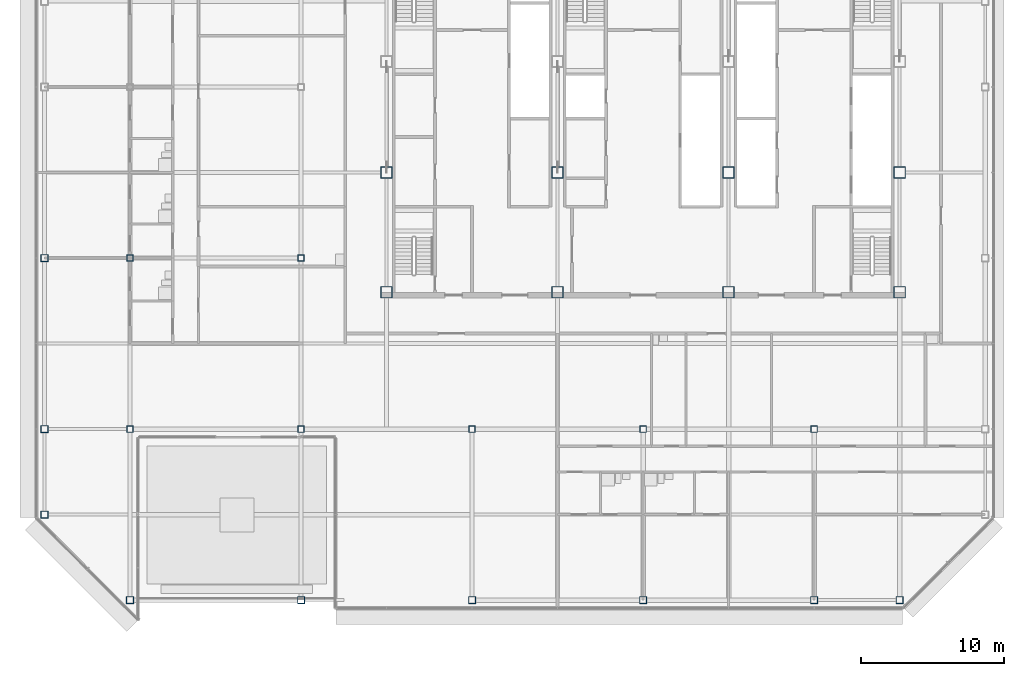
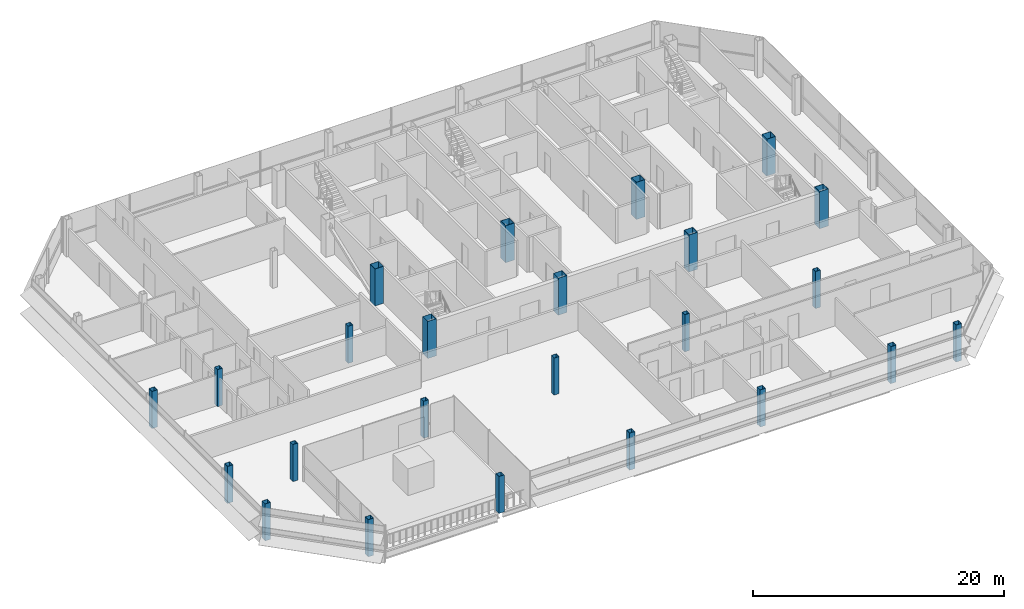
# One storey, part 1 of 31: 24 columns.
"""IFC4 building model written with IfcOpenShell, lengths in metres."""

import ifcopenshell
import ifcopenshell.guid

model = None  # the IFC model being written
_history = None  # IfcOwnerHistory: only IFC2X3 demands one
_inside = {}  # id of a spatial element -> (the spatial element, [elements in it])
_under = {}  # id of a project, library or spatial element -> (it, [spatial elements below it])
_declared = {}  # id of a project -> (the project, [libraries it declares])
_typed = {}  # id of a type object -> (the type object, [elements of that type])
_made_of = {}  # id of a material, layer set ... -> (it, [elements and type objects made of it])


def new_model(schema):
    """Start an empty IFC model of exactly this schema.

    Asked for "IFC4X3", IfcOpenShell would pick the latest addendum, in which some entities
    have other attributes; the version numbers below select the first issue.
    IFC2X3 requires an IfcOwnerHistory on every rooted entity: one is made here for all.
    """
    global model, _history
    if schema == "IFC4X3":
        model = ifcopenshell.file(schema_version=(4, 3, 0, 0))
    else:
        model = ifcopenshell.file(schema=schema)
    _inside.clear()
    _under.clear()
    _declared.clear()
    _typed.clear()
    _made_of.clear()
    _history = None
    if model.schema == "IFC2X3":
        org = make("IfcOrganization", Name="unknown")
        user = make(
            "IfcPersonAndOrganization",
            ThePerson=make("IfcPerson", FamilyName="unknown"),
            TheOrganization=org,
        )
        app = make(
            "IfcApplication",
            ApplicationDeveloper=org,
            Version="unknown",
            ApplicationFullName="unknown",
            ApplicationIdentifier="unknown",
        )
        _history = make(
            "IfcOwnerHistory",
            OwningUser=user,
            OwningApplication=app,
            ChangeAction="ADDED",
            CreationDate=0,
        )
    return model


def make(cls, **values):
    """One entity of the class cls with the attributes given. An attribute that is None is left unset."""
    return model.create_entity(
        cls, **{name: value for name, value in values.items() if value is not None}
    )


def rooted(cls, **values):
    """An entity with a GlobalId (a new one), such as an element, a storey or a relation."""
    return make(cls, GlobalId=ifcopenshell.guid.new(), OwnerHistory=_history, **values)


def si_unit(unit_type, name, prefix=None):
    """IfcSIUnit, for example si_unit("LENGTHUNIT", "METRE", prefix="MILLI")."""
    return make("IfcSIUnit", UnitType=unit_type, Prefix=prefix, Name=name)


def assignment(units):
    """IfcUnitAssignment: the units of a project."""
    return None if units is None else make("IfcUnitAssignment", Units=units)


def point(xyz):
    """IfcCartesianPoint."""
    return None if xyz is None else make("IfcCartesianPoint", Coordinates=xyz)


def direction(xyz):
    """IfcDirection."""
    return None if xyz is None else make("IfcDirection", DirectionRatios=xyz)


def frame(location, z_axis=None, x_axis=None):
    """IfcAxis2Placement3D, a coordinate frame: its origin and axes. An axis left out is left unset."""
    return make(
        "IfcAxis2Placement3D",
        Location=point(location),
        Axis=direction(z_axis),
        RefDirection=direction(x_axis),
    )


def frame_2d(location, x_axis=None):
    """IfcAxis2Placement2D, a coordinate frame in the plane: its origin and x axis."""
    return make(
        "IfcAxis2Placement2D", Location=point(location), RefDirection=direction(x_axis)
    )


def origin():
    """The frame at (0, 0, 0) with its axes left unset."""
    return frame((0.0, 0.0, 0.0))


def origin_2d():
    """The frame at (0, 0) in the plane with its x axis left unset."""
    return frame_2d((0.0, 0.0))


def place(relative_to, where):
    """IfcLocalPlacement: puts the frame where relative to a parent placement (None: the world)."""
    return make(
        "IfcLocalPlacement", PlacementRelTo=relative_to, RelativePlacement=where
    )


def context(
    kind, dimensions, precision=None, world=None, true_north=None, identifier=None
):
    """IfcGeometricRepresentationContext, for example the 3D "Model" context."""
    return make(
        "IfcGeometricRepresentationContext",
        ContextIdentifier=identifier,
        ContextType=kind,
        CoordinateSpaceDimension=dimensions,
        Precision=precision,
        WorldCoordinateSystem=world,
        TrueNorth=true_north,
    )


def subcontext(parent, identifier, kind, view, scale=None):
    """IfcGeometricRepresentationSubContext, for example "Body" below "Model"."""
    return make(
        "IfcGeometricRepresentationSubContext",
        ContextIdentifier=identifier,
        ContextType=kind,
        ParentContext=parent,
        TargetScale=scale,
        TargetView=view,
    )


def project(units=None, contexts=None):
    """IfcProject with its units and contexts."""
    return rooted(
        "IfcProject",
        Name="project",
        RepresentationContexts=contexts,
        UnitsInContext=assignment(units),
    )


def spatial(cls, under=None, at=None, **own):
    """A site, building, storey or space (cls), placed at a placement, below another one or the project."""
    s = rooted(cls, ObjectPlacement=at, **own)
    if under is not None:
        _under.setdefault(under.id(), (under, []))[1].append(s)
    return s


def profile(cls, at=None, kind="AREA", **sizes):
    """A parametric profile (cls). Its sizes go by their IFC names, for example OverallWidth=200.0."""
    return make(cls, ProfileType=kind, Position=at, **sizes)


def hollow_rectangle(**sizes):
    """IfcRectangleHollowProfileDef."""
    return profile("IfcRectangleHollowProfileDef", **sizes)


def extrude(swept, where, along, depth):
    """IfcExtrudedAreaSolid: the profile swept, set in the frame where, extruded along a direction by depth."""
    return make(
        "IfcExtrudedAreaSolid",
        SweptArea=swept,
        Position=where,
        ExtrudedDirection=direction(along),
        Depth=depth,
    )


def shape(context_of_items, identifier, shape_type, items):
    """IfcShapeRepresentation: the items that make up one representation, for example the "Body"."""
    return make(
        "IfcShapeRepresentation",
        ContextOfItems=context_of_items,
        RepresentationIdentifier=identifier,
        RepresentationType=shape_type,
        Items=items,
    )


def material(Name=None, Category=None):
    """IfcMaterial."""
    return make("IfcMaterial", Name=Name, Category=Category)


def material_profile(
    of_material, cross_section, Name=None, Category=None, Priority=None
):
    """IfcMaterialProfile: a cross section and its material."""
    return make(
        "IfcMaterialProfile",
        Name=Name,
        Material=of_material,
        Profile=cross_section,
        Priority=Priority,
        Category=Category,
    )


def profile_set(profiles, Name=None, composite=None):
    """IfcMaterialProfileSet."""
    return make(
        "IfcMaterialProfileSet",
        Name=Name,
        MaterialProfiles=profiles,
        CompositeProfile=composite,
    )


def made_of(thing, what):
    """Note that an element or type object is made of a material, layer set ...; save() writes the relation."""
    if what is not None:
        _made_of.setdefault(what.id(), (what, []))[1].append(thing)
    return thing


def type_object(cls, material=None, **own):
    """A type object (cls), such as IfcWallType, which elements share."""
    return made_of(rooted(cls, **own), material)


def element(
    cls,
    number,
    at=None,
    inside=None,
    cuts=None,
    type_object=None,
    material=None,
    context=None,
    identifier="Body",
    shape_type=None,
    held_by="IfcProductDefinitionShape",
    body=None,
    shapes=None,
    **own,
):
    """One element of the class cls, such as IfcWall. Its Tag is "e" and its number.

    at: its placement. inside: the storey or other place that contains it. cuts: it is an
    opening in that element (IfcRelVoidsElement). A single representation is given by context,
    identifier, shape_type and body (its items); several are given by shapes. held_by: the class
    of the entity that holds the representations. save() writes the other relations.
    """
    e = rooted(cls, Tag="e%d" % number, ObjectPlacement=at, **own)
    if body is not None:
        shapes = [shape(context, identifier, shape_type, body)]
    if shapes is not None:
        e.Representation = make(held_by, Representations=shapes)
    if inside is not None:
        _inside.setdefault(inside.id(), (inside, []))[1].append(e)
    if cuts is not None:
        rooted(
            "IfcRelVoidsElement", RelatingBuildingElement=cuts, RelatedOpeningElement=e
        )
    if type_object is not None:
        _typed.setdefault(type_object.id(), (type_object, []))[1].append(e)
    return made_of(e, material)


def aggregate(whole, parts):
    """IfcRelAggregates: a whole, such as a stair, and the parts it consists of."""
    return rooted("IfcRelAggregates", RelatingObject=whole, RelatedObjects=parts)


def save(model, path):
    """Write the relations noted so far, then the file.

    IfcRelAggregates (storeys below a building ...), IfcRelContainedInSpatialStructure (elements
    in a storey), IfcRelDefinesByType, IfcRelAssociatesMaterial and IfcRelDeclares: one each for
    every whole, place, type object, material and project.
    """
    for whole, parts in _under.values():
        aggregate(whole, parts)
    for where, things in _inside.values():
        rooted(
            "IfcRelContainedInSpatialStructure",
            RelatedElements=things,
            RelatingStructure=where,
        )
    for kind, things in _typed.values():
        rooted("IfcRelDefinesByType", RelatedObjects=things, RelatingType=kind)
    for what, things in _made_of.values():
        rooted("IfcRelAssociatesMaterial", RelatedObjects=things, RelatingMaterial=what)
    for by, libraries in _declared.values():
        rooted("IfcRelDeclares", RelatingContext=by, RelatedDefinitions=libraries)
    model.write(path)


model = new_model("IFC4")

# Units and contexts
model_context = context("Model", 3, precision=1e-05, world=origin(), true_north=direction((0.0, 1.0)))
body_context = subcontext(model_context, "Body", "Model", "MODEL_VIEW")
ifc_project = project(units=[si_unit("LENGTHUNIT", "METRE"), si_unit("AREAUNIT", "SQUARE_METRE"), si_unit("VOLUMEUNIT", "CUBIC_METRE"), si_unit("PLANEANGLEUNIT", "RADIAN"), si_unit("MASSUNIT", "GRAM", prefix="KILO")], contexts=[model_context])

# Site, building, storey
site_placement = place(None, origin())
site = spatial("IfcSite", under=ifc_project, at=site_placement, CompositionType="ELEMENT")
building_placement = place(site_placement, origin())
building = spatial("IfcBuilding", under=site, at=building_placement, Name="Sorahane Residences", CompositionType="ELEMENT")
storey_placement = place(building_placement, frame((0.0, 0.0, 319.60009765625)))
storey = spatial("IfcBuildingStorey", under=building, at=storey_placement, Name="L76", CompositionType="ELEMENT", Elevation=319.60009765625)

# Columns
ifc_material_1 = material(Name="Steel Q355B", Category="steel")
ifc_material_profile_1 = material_profile(ifc_material_1, hollow_rectangle(XDim=0.449951171875, YDim=0.449951171875, WallThickness=0.02197265625, at=origin_2d()), Name="BOX 450x450x22")
ifc_profile_set_1 = profile_set([ifc_material_profile_1], Name="Steel Q355B")
column_type_1 = type_object("IfcColumnType", Name="Steel box column BOX 450x450x22 Q355B", PredefinedType="COLUMN", material=ifc_profile_set_1)
for number, where, z_axis, x_axis, name in (
    (1, (-12.0, 12.0, 0.0), (0.0, 0.0, 1.0), (1.0, 0.0, 0.0), "Column L76 m12/12"),
    (2, (-12.0, 24.0, 0.0), (0.0, 0.0, 1.0), (1.0, 0.0, 0.0), "Column L76 m12/24"),
    (3, (0.0, 12.0, 0.0), (0.0, 0.0, 1.0), (1.0, 0.0, 0.0), "Column L76 0/12"),
    (4, (0.0, 24.0, 0.0), (0.0, 0.0, 1.0), (1.0, 0.0, 0.0), "Column L76 0/24"),
    (5, (12.0, 12.0, 0.0), (0.0, 0.0, 1.0), (1.0, 0.0, 0.0), "Column L76 12/12"),
    (6, (24.0, 12.0, 0.0), (0.0, 0.0, 1.0), (1.0, 0.0, 0.0), "Column L76 24/12"),
    (7, (36.0, 12.0, 0.0), (0.0, 0.0, 1.0), (1.0, 0.0, 0.0), "Column L76 36/12"),
):
    element("IfcColumn", number, at=place(storey_placement, frame(where, z_axis=z_axis, x_axis=x_axis)), inside=storey, type_object=column_type_1, Name=name, PredefinedType="COLUMN", context=body_context, shape_type="SweptSolid", body=[
        extrude(hollow_rectangle(XDim=0.449951171875, YDim=0.449951171875, WallThickness=0.02197265625, at=origin_2d()), origin(), (0.0, 0.0, 1.0), 3.599853515625),
    ])
ifc_material_2 = material(Name="Steel Q355B", Category="steel")
ifc_material_profile_2 = material_profile(ifc_material_2, hollow_rectangle(XDim=0.5, YDim=0.5, WallThickness=0.02490234375, at=origin_2d()), Name="BOX 500x500x25")
ifc_profile_set_2 = profile_set([ifc_material_profile_2], Name="Steel Q355B")
column_type_2 = type_object("IfcColumnType", Name="Steel box column BOX 500x500x25 Q355B", PredefinedType="COLUMN", material=ifc_profile_set_2)
for number, where, z_axis, x_axis, name in (
    (8, (-18.0, 6.0, 0.0), (0.0, 0.0, 1.0), (1.0, 0.0, 0.0), "Column L76 m18/6"),
    (9, (-18.0, 12.0, 0.0), (0.0, 0.0, 1.0), (1.0, 0.0, 0.0), "Column L76 m18/12"),
    (10, (-18.0, 24.0, 0.0), (0.0, 0.0, 1.0), (1.0, 0.0, 0.0), "Column L76 m18/24"),
    (11, (-12.0, 0.0, 0.0), (0.0, 0.0, 1.0), (1.0, 0.0, 0.0), "Column L76 m12/0"),
    (12, (0.0, 0.0, 0.0), (0.0, 0.0, 1.0), (1.0, 0.0, 0.0), "Column L76 0/0"),
    (13, (12.0, 0.0, 0.0), (0.0, 0.0, 1.0), (1.0, 0.0, 0.0), "Column L76 12/0"),
    (14, (24.0, 0.0, 0.0), (0.0, 0.0, 1.0), (1.0, 0.0, 0.0), "Column L76 24/0"),
    (15, (36.0, 0.0, 0.0), (0.0, 0.0, 1.0), (1.0, 0.0, 0.0), "Column L76 36/0"),
    (16, (42.0, 0.0, 0.0), (0.0, 0.0, 1.0), (1.0, 0.0, 0.0), "Column L76 42/0"),
):
    element("IfcColumn", number, at=place(storey_placement, frame(where, z_axis=z_axis, x_axis=x_axis)), inside=storey, type_object=column_type_2, Name=name, PredefinedType="COLUMN", context=body_context, shape_type="SweptSolid", body=[
        extrude(hollow_rectangle(XDim=0.5, YDim=0.5, WallThickness=0.02490234375, at=origin_2d()), origin(), (0.0, 0.0, 1.0), 3.599853515625),
    ])
ifc_material_3 = material(Name="Steel Q355B", Category="steel")
ifc_material_profile_3 = material_profile(ifc_material_3, hollow_rectangle(XDim=0.800048828125, YDim=0.800048828125, WallThickness=0.02490234375, at=origin_2d()), Name="BOX 800x800x25")
ifc_profile_set_3 = profile_set([ifc_material_profile_3], Name="Steel Q355B")
column_type_3 = type_object("IfcColumnType", Name="Steel box column BOX 800x800x25 Q355B", PredefinedType="COLUMN", material=ifc_profile_set_3)
for number, where, z_axis, x_axis, name in (
    (17, (6.0, 21.60009765625, 0.0), (0.0, 0.0, 1.0), (1.0, 0.0, 0.0), "Column L76 6/21.6"),
    (18, (6.0, 30.0, 0.0), (0.0, 0.0, 1.0), (1.0, 0.0, 0.0), "Column L76 6/30"),
    (19, (18.0, 21.60009765625, 0.0), (0.0, 0.0, 1.0), (1.0, 0.0, 0.0), "Column L76 18/21.6"),
    (20, (18.0, 30.0, 0.0), (0.0, 0.0, 1.0), (1.0, 0.0, 0.0), "Column L76 18/30"),
    (21, (30.0, 21.60009765625, 0.0), (0.0, 0.0, 1.0), (1.0, 0.0, 0.0), "Column L76 30/21.6"),
    (22, (30.0, 30.0, 0.0), (0.0, 0.0, 1.0), (1.0, 0.0, 0.0), "Column L76 30/30"),
    (23, (42.0, 21.60009765625, 0.0), (0.0, 0.0, 1.0), (1.0, 0.0, 0.0), "Column L76 42/21.6"),
    (24, (42.0, 30.0, 0.0), (0.0, 0.0, 1.0), (1.0, 0.0, 0.0), "Column L76 42/30"),
):
    element("IfcColumn", number, at=place(storey_placement, frame(where, z_axis=z_axis, x_axis=x_axis)), inside=storey, type_object=column_type_3, Name=name, PredefinedType="COLUMN", context=body_context, shape_type="SweptSolid", body=[
        extrude(hollow_rectangle(XDim=0.800048828125, YDim=0.800048828125, WallThickness=0.02490234375, at=origin_2d()), origin(), (0.0, 0.0, 1.0), 3.599853515625),
    ])

save(model, "model.ifc")
